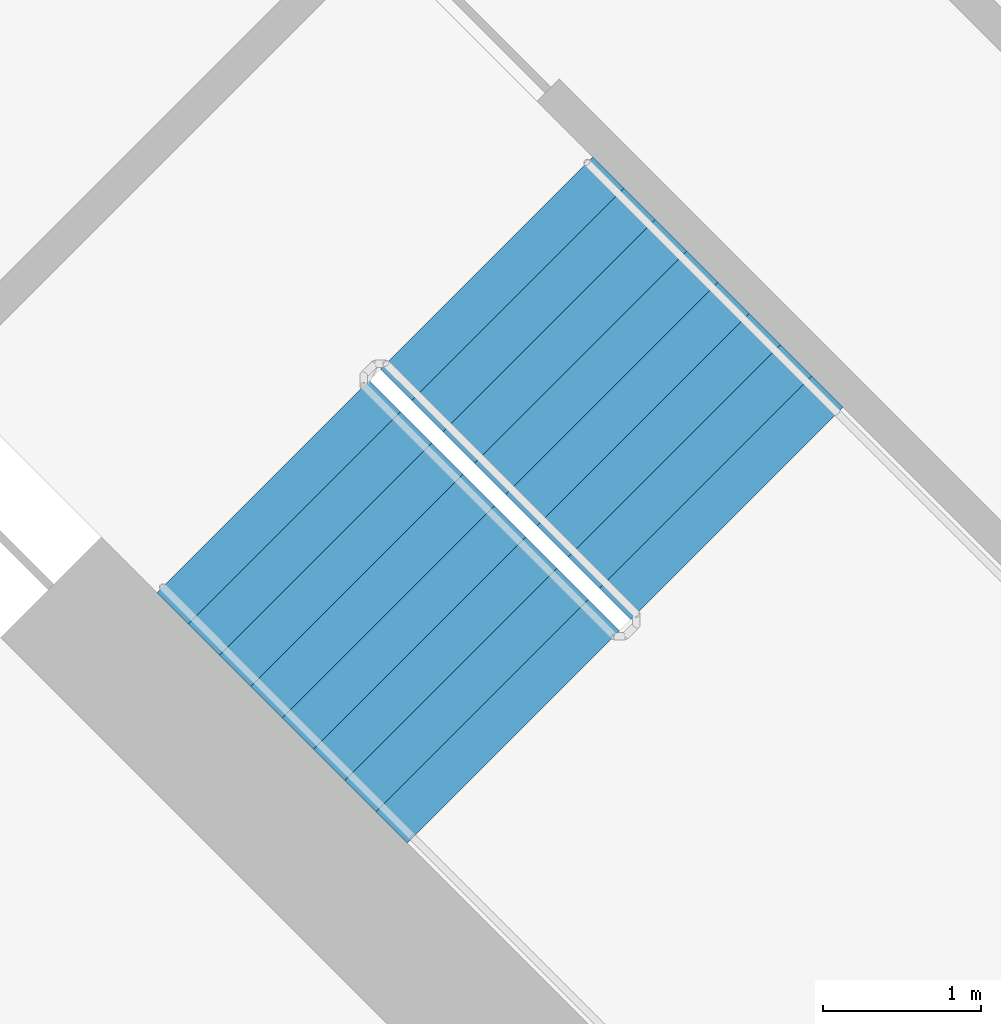
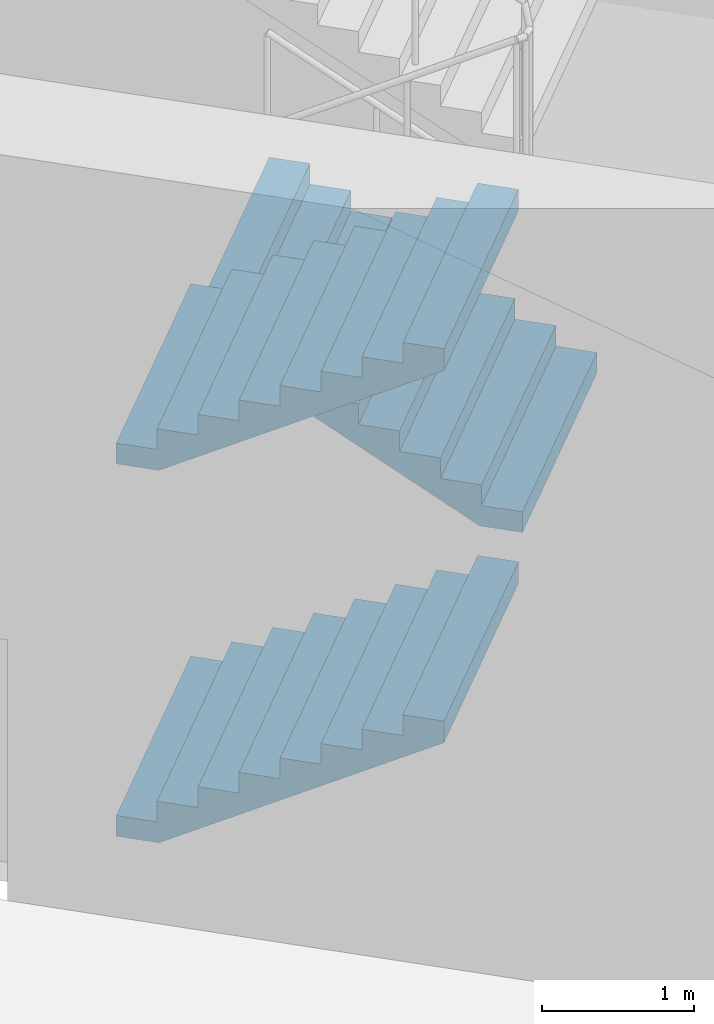
# One storey, part 14 of 20: 3 stair flights, 1 element without a shape of its own.
"""IFC4 building model written with IfcOpenShell, lengths in metres."""

from ifc_helpers import new_model, si_unit, direction, frame, origin, place, context, subcontext, project, spatial, triangles, material, type_object, element, aggregate, save


model = new_model("IFC4")

# Units and contexts
model_context = context("Model", 3, precision=1e-05, world=origin(), true_north=direction((0.0, 1.0)))
body_context = subcontext(model_context, "Body", "Model", "MODEL_VIEW")
ifc_project = project(units=[si_unit("LENGTHUNIT", "METRE"), si_unit("AREAUNIT", "SQUARE_METRE"), si_unit("VOLUMEUNIT", "CUBIC_METRE"), si_unit("PLANEANGLEUNIT", "RADIAN"), si_unit("MASSUNIT", "GRAM", prefix="KILO")], contexts=[model_context])

# Site, building, storey
site_placement = place(None, origin())
site = spatial("IfcSite", under=ifc_project, at=site_placement, CompositionType="ELEMENT")
building_placement = place(site_placement, origin())
building = spatial("IfcBuilding", under=site, at=building_placement, Name="Verdalira Terraces Hotel", CompositionType="ELEMENT")
storey_placement = place(building_placement, frame((0.0, 0.0, 75.0)))
storey = spatial("IfcBuildingStorey", under=building, at=storey_placement, Name="L17", CompositionType="ELEMENT", Elevation=75.0)

# Stair, stair flights
ifc_material_1 = material(Name="Concrete C40", Category="concrete")
stair_type = type_object("IfcStairType", Name="Core stair 36 risers 1900 mm wide", PredefinedType="HALF_TURN_STAIR", material=ifc_material_1)
stair_placement = place(storey_placement, origin())
stair = element("IfcStair", 1, at=stair_placement, inside=storey, type_object=stair_type, Name="L17 Exit stair ST2", PredefinedType="HALF_TURN_STAIR")
ifc_material_2 = material(Name="Concrete C40", Category="concrete")
stair_flight_type = type_object("IfcStairFlightType", Name="Core stair flight 36 risers 1900 mm wide", PredefinedType="STRAIGHT", material=ifc_material_2)
stair_flight_1_placement = place(storey_placement, frame((-10.005615, -7.177246, 0.0), z_axis=(0.0, 0.0, 1.0), x_axis=(0.707106781, -0.707106781, 0.0)))
stair_flight_1 = element("IfcStairFlight", 2, at=stair_flight_1_placement, type_object=stair_flight_type, Name="ST2 flight 1", NumberOfRisers=9, NumberOfTreads=8, PredefinedType="STRAIGHT", RiserHeight=0.166666667, TreadLength=0.28, context=body_context, shape_type="Tessellation", body=[
    triangles([(0.0, 0.949951, 0.0), (0.292969, 0.949951, 0.0), (2.23999, 0.949951, 1.158936), (0.0, -0.949951, 0.0), (0.292969, -0.949951, 0.0), (2.23999, -0.949951, 1.158936), (2.23999, 0.949951, 1.333252), (1.959961, 0.949951, 1.333252), (2.23999, -0.949951, 1.333252), (1.959961, -0.949951, 1.333252), (1.959961, 0.949951, 1.166748), (1.959961, -0.949951, 1.166748), (1.679932, 0.949951, 1.166748), (1.679932, -0.949951, 1.166748), (1.679932, 0.949951, 1.0), (1.679932, -0.949951, 1.0), (1.399902, 0.949951, 1.0), (1.399902, 0.949951, 0.833252), (1.399902, -0.949951, 1.0), (1.399902, -0.949951, 0.833252), (1.120117, 0.949951, 0.833252), (1.120117, 0.949951, 0.666748), (1.120117, -0.949951, 0.833252), (1.120117, -0.949951, 0.666748), (0.840088, 0.949951, 0.666748), (0.840088, 0.949951, 0.5), (0.840088, -0.949951, 0.666748), (0.840088, -0.949951, 0.5), (0.560059, 0.949951, 0.5), (0.560059, 0.949951, 0.333252), (0.560059, -0.949951, 0.5), (0.560059, -0.949951, 0.333252), (0.280029, 0.949951, 0.333252), (0.280029, 0.949951, 0.166748), (0.280029, -0.949951, 0.333252), (0.280029, -0.949951, 0.166748), (0.0, 0.949951, 0.166748), (0.0, -0.949951, 0.166748), (0.0, -0.890579, 0.0), (0.0, -0.890579, 0.166748), (0.0, -0.831207, 0.0), (0.0, -0.831207, 0.166748), (0.0, -0.771835, 0.0), (0.0, -0.771835, 0.166748), (0.0, -0.712463, 0.0), (0.0, -0.712463, 0.166748), (0.0, -0.653091, 0.0), (0.0, -0.653091, 0.166748), (0.0, -0.593719, 0.0), (0.0, -0.593719, 0.166748), (0.0, -0.534348, 0.0), (0.0, -0.534348, 0.166748), (0.0, -0.474976, 0.0), (0.0, -0.474976, 0.166748), (0.0, -0.415604, 0.0), (0.0, -0.415604, 0.166748), (0.0, -0.356232, 0.0), (0.0, -0.356232, 0.166748), (0.0, -0.29686, 0.0), (0.0, -0.29686, 0.166748), (0.0, -0.237488, 0.0), (0.0, -0.237488, 0.166748), (0.0, -0.178116, 0.0), (0.0, -0.178116, 0.166748), (0.0, -0.118744, 0.0), (0.0, -0.118744, 0.166748), (0.0, -0.059372, 0.0), (0.0, -0.059372, 0.166748), (0.0, 0.0, 0.0), (0.0, 0.0, 0.166748), (0.0, 0.059372, 0.0), (0.0, 0.059372, 0.166748), (0.0, 0.118744, 0.0), (0.0, 0.118744, 0.166748), (0.0, 0.178116, 0.0), (0.0, 0.178116, 0.166748), (0.0, 0.237488, 0.0), (0.0, 0.237488, 0.166748), (0.0, 0.29686, 0.0), (0.0, 0.29686, 0.166748), (0.0, 0.356232, 0.0), (0.0, 0.356232, 0.166748), (0.0, 0.415604, 0.0), (0.0, 0.415604, 0.166748), (0.0, 0.474976, 0.0), (0.0, 0.474976, 0.166748), (0.0, 0.534348, 0.0), (0.0, 0.534348, 0.166748), (0.0, 0.593719, 0.0), (0.0, 0.593719, 0.166748), (0.0, 0.653091, 0.0), (0.0, 0.653091, 0.166748), (0.0, 0.712463, 0.0), (0.0, 0.712463, 0.166748), (0.0, 0.771835, 0.0), (0.0, 0.771835, 0.166748), (0.0, 0.831207, 0.0), (0.0, 0.831207, 0.166748), (0.0, 0.890579, 0.0), (0.0, 0.890579, 0.166748), (2.23999, -0.890579, 1.333252), (2.23999, -0.831207, 1.333252), (2.23999, -0.771835, 1.333252), (2.23999, -0.712463, 1.333252), (2.23999, -0.653091, 1.333252), (2.23999, -0.593719, 1.333252), (2.23999, -0.534348, 1.333252), (2.23999, -0.474976, 1.333252), (2.23999, -0.415604, 1.333252), (2.23999, -0.356232, 1.333252), (2.23999, -0.29686, 1.333252), (2.23999, -0.237488, 1.333252), (2.23999, -0.178116, 1.333252), (2.23999, -0.118744, 1.333252), (2.23999, -0.059372, 1.333252), (2.23999, 0.0, 1.333252), (2.23999, 0.059372, 1.333252), (2.23999, 0.118744, 1.333252), (2.23999, 0.178116, 1.333252), (2.23999, 0.237488, 1.333252), (2.23999, 0.29686, 1.333252), (2.23999, 0.356232, 1.333252), (2.23999, 0.415604, 1.333252), (2.23999, 0.474976, 1.333252), (2.23999, 0.534348, 1.333252), (2.23999, 0.593719, 1.333252), (2.23999, 0.653091, 1.333252), (2.23999, 0.712463, 1.333252), (2.23999, 0.771835, 1.333252), (2.23999, 0.831207, 1.333252), (2.23999, 0.890579, 1.333252), (2.23999, -0.890579, 1.158936), (2.23999, -0.831207, 1.158936), (2.23999, -0.771835, 1.158936), (2.23999, -0.712463, 1.158936), (2.23999, -0.653091, 1.158936), (2.23999, -0.593719, 1.158936), (2.23999, -0.534348, 1.158936), (2.23999, -0.474976, 1.158936), (2.23999, -0.415604, 1.158936), (2.23999, -0.356232, 1.158936), (2.23999, -0.29686, 1.158936), (2.23999, -0.237488, 1.158936), (2.23999, -0.178116, 1.158936), (2.23999, -0.118744, 1.158936), (2.23999, -0.059372, 1.158936), (2.23999, 0.0, 1.158936), (2.23999, 0.059372, 1.158936), (2.23999, 0.118744, 1.158936), (2.23999, 0.178116, 1.158936), (2.23999, 0.237488, 1.158936), (2.23999, 0.29686, 1.158936), (2.23999, 0.356232, 1.158936), (2.23999, 0.415604, 1.158936), (2.23999, 0.474976, 1.158936), (2.23999, 0.534348, 1.158936), (2.23999, 0.593719, 1.158936), (2.23999, 0.653091, 1.158936), (2.23999, 0.712463, 1.158936), (2.23999, 0.771835, 1.158936), (2.23999, 0.831207, 1.158936), (2.23999, 0.890579, 1.158936)], [[1, 3, 2], [4, 5, 6], [3, 8, 7], [6, 9, 10], [3, 11, 8], [6, 10, 12], [3, 13, 11], [6, 12, 14], [3, 15, 13], [6, 14, 16], [15, 18, 17], [16, 19, 20], [3, 18, 15], [6, 16, 20], [18, 22, 21], [20, 23, 24], [3, 22, 18], [6, 20, 24], [22, 26, 25], [24, 27, 28], [3, 26, 22], [6, 24, 28], [26, 30, 29], [28, 31, 32], [3, 30, 26], [6, 28, 32], [1, 30, 3], [4, 6, 32], [30, 34, 33], [32, 35, 36], [1, 34, 30], [4, 32, 36], [34, 1, 37], [36, 38, 4], [4, 40, 39], [4, 38, 40], [39, 42, 41], [39, 40, 42], [41, 44, 43], [41, 42, 44], [43, 46, 45], [43, 44, 46], [45, 48, 47], [45, 46, 48], [47, 50, 49], [47, 48, 50], [49, 52, 51], [49, 50, 52], [51, 54, 53], [51, 52, 54], [53, 56, 55], [53, 54, 56], [55, 58, 57], [55, 56, 58], [57, 60, 59], [57, 58, 60], [59, 62, 61], [59, 60, 62], [61, 64, 63], [61, 62, 64], [63, 66, 65], [63, 64, 66], [65, 68, 67], [65, 66, 68], [67, 70, 69], [67, 68, 70], [69, 72, 71], [69, 70, 72], [71, 74, 73], [71, 72, 74], [73, 76, 75], [73, 74, 76], [75, 78, 77], [75, 76, 78], [77, 80, 79], [77, 78, 80], [79, 82, 81], [79, 80, 82], [81, 84, 83], [81, 82, 84], [83, 86, 85], [83, 84, 86], [85, 88, 87], [85, 86, 88], [87, 90, 89], [87, 88, 90], [89, 92, 91], [89, 90, 92], [91, 94, 93], [91, 92, 94], [93, 96, 95], [93, 94, 96], [95, 98, 97], [95, 96, 98], [97, 100, 99], [97, 98, 100], [99, 37, 1], [99, 100, 37], [38, 36, 40], [40, 36, 42], [42, 36, 44], [44, 36, 46], [46, 36, 48], [48, 36, 50], [50, 36, 52], [52, 36, 54], [54, 36, 56], [56, 36, 58], [58, 36, 60], [60, 36, 62], [62, 36, 64], [64, 36, 66], [66, 36, 68], [68, 36, 70], [70, 36, 72], [72, 36, 74], [74, 36, 76], [76, 36, 78], [78, 36, 80], [80, 36, 82], [82, 36, 84], [84, 36, 86], [86, 36, 88], [88, 36, 90], [90, 36, 92], [92, 36, 94], [94, 36, 96], [96, 36, 98], [98, 36, 100], [100, 36, 37], [37, 36, 34], [36, 33, 34], [36, 35, 33], [35, 30, 33], [35, 32, 30], [32, 29, 30], [32, 31, 29], [31, 26, 29], [31, 28, 26], [28, 25, 26], [28, 27, 25], [27, 22, 25], [27, 24, 22], [24, 21, 22], [24, 23, 21], [23, 18, 21], [23, 20, 18], [20, 17, 18], [20, 19, 17], [19, 15, 17], [19, 16, 15], [16, 13, 15], [16, 14, 13], [14, 11, 13], [14, 12, 11], [12, 8, 11], [12, 10, 8], [9, 101, 10], [101, 102, 10], [102, 103, 10], [103, 104, 10], [104, 105, 10], [105, 106, 10], [106, 107, 10], [107, 108, 10], [108, 109, 10], [109, 110, 10], [110, 111, 10], [111, 112, 10], [112, 113, 10], [113, 114, 10], [114, 115, 10], [115, 116, 10], [116, 117, 10], [117, 118, 10], [118, 119, 10], [119, 120, 10], [120, 121, 10], [121, 122, 10], [122, 123, 10], [123, 124, 10], [124, 125, 10], [125, 126, 10], [126, 127, 10], [127, 128, 10], [128, 129, 10], [129, 130, 10], [130, 131, 10], [131, 7, 10], [7, 8, 10], [9, 132, 101], [9, 6, 132], [101, 133, 102], [101, 132, 133], [102, 134, 103], [102, 133, 134], [103, 135, 104], [103, 134, 135], [104, 136, 105], [104, 135, 136], [105, 137, 106], [105, 136, 137], [106, 138, 107], [106, 137, 138], [107, 139, 108], [107, 138, 139], [108, 140, 109], [108, 139, 140], [109, 141, 110], [109, 140, 141], [110, 142, 111], [110, 141, 142], [111, 143, 112], [111, 142, 143], [112, 144, 113], [112, 143, 144], [113, 145, 114], [113, 144, 145], [114, 146, 115], [114, 145, 146], [115, 147, 116], [115, 146, 147], [116, 148, 117], [116, 147, 148], [117, 149, 118], [117, 148, 149], [118, 150, 119], [118, 149, 150], [119, 151, 120], [119, 150, 151], [120, 152, 121], [120, 151, 152], [121, 153, 122], [121, 152, 153], [122, 154, 123], [122, 153, 154], [123, 155, 124], [123, 154, 155], [124, 156, 125], [124, 155, 156], [125, 157, 126], [125, 156, 157], [126, 158, 127], [126, 157, 158], [127, 159, 128], [127, 158, 159], [128, 160, 129], [128, 159, 160], [129, 161, 130], [129, 160, 161], [130, 162, 131], [130, 161, 162], [131, 3, 7], [131, 162, 3], [6, 5, 132], [132, 5, 133], [133, 5, 134], [134, 5, 135], [135, 5, 136], [136, 5, 137], [137, 5, 138], [138, 5, 139], [139, 5, 140], [140, 5, 141], [141, 5, 142], [142, 5, 143], [143, 5, 144], [144, 5, 145], [145, 5, 146], [146, 5, 147], [147, 5, 148], [148, 5, 149], [149, 5, 150], [150, 5, 151], [151, 5, 152], [152, 5, 153], [153, 5, 154], [154, 5, 155], [155, 5, 156], [156, 5, 157], [157, 5, 158], [158, 5, 159], [159, 5, 160], [160, 5, 161], [161, 5, 162], [162, 5, 3], [3, 5, 2], [4, 39, 5], [39, 41, 5], [41, 43, 5], [43, 45, 5], [45, 47, 5], [47, 49, 5], [49, 51, 5], [51, 53, 5], [53, 55, 5], [55, 57, 5], [57, 59, 5], [59, 61, 5], [61, 63, 5], [63, 65, 5], [65, 67, 5], [67, 69, 5], [69, 71, 5], [71, 73, 5], [73, 75, 5], [75, 77, 5], [77, 79, 5], [79, 81, 5], [81, 83, 5], [83, 85, 5], [85, 87, 5], [87, 89, 5], [89, 91, 5], [91, 93, 5], [93, 95, 5], [95, 97, 5], [97, 99, 5], [99, 1, 5], [1, 2, 5]], closed=True),
])
stair_flight_2_placement = place(storey_placement, frame((-7.007324, -7.346924, 1.5), z_axis=(0.0, 0.0, 1.0), x_axis=(-0.707106781, 0.707106781, 0.0)))
stair_flight_2 = element("IfcStairFlight", 3, at=stair_flight_2_placement, type_object=stair_flight_type, Name="ST2 flight 2", NumberOfRisers=9, NumberOfTreads=8, PredefinedType="STRAIGHT", RiserHeight=0.166666667, TreadLength=0.28, context=body_context, shape_type="Tessellation", body=[
    triangles([(0.0, 0.949951, 0.0), (0.292969, 0.949951, 0.0), (2.23999, 0.949951, 1.158936), (0.0, -0.949951, 0.0), (0.292969, -0.949951, 0.0), (2.23999, -0.949951, 1.158936), (2.23999, 0.949951, 1.333252), (1.959961, 0.949951, 1.333252), (2.23999, -0.949951, 1.333252), (1.959961, -0.949951, 1.333252), (1.959961, 0.949951, 1.166748), (1.959961, -0.949951, 1.166748), (1.679932, 0.949951, 1.166748), (1.679932, -0.949951, 1.166748), (1.679932, 0.949951, 1.0), (1.679932, -0.949951, 1.0), (1.399902, 0.949951, 1.0), (1.399902, 0.949951, 0.833252), (1.399902, -0.949951, 1.0), (1.399902, -0.949951, 0.833252), (1.120117, 0.949951, 0.833252), (1.120117, 0.949951, 0.666748), (1.120117, -0.949951, 0.833252), (1.120117, -0.949951, 0.666748), (0.840088, 0.949951, 0.666748), (0.840088, 0.949951, 0.5), (0.840088, -0.949951, 0.666748), (0.840088, -0.949951, 0.5), (0.560059, 0.949951, 0.5), (0.560059, 0.949951, 0.333252), (0.560059, -0.949951, 0.5), (0.560059, -0.949951, 0.333252), (0.280029, 0.949951, 0.333252), (0.280029, 0.949951, 0.166748), (0.280029, -0.949951, 0.333252), (0.280029, -0.949951, 0.166748), (0.0, 0.949951, 0.166748), (0.0, -0.949951, 0.166748), (0.0, -0.890579, 0.0), (0.0, -0.890579, 0.166748), (0.0, -0.831207, 0.0), (0.0, -0.831207, 0.166748), (0.0, -0.771835, 0.0), (0.0, -0.771835, 0.166748), (0.0, -0.712463, 0.0), (0.0, -0.712463, 0.166748), (0.0, -0.653091, 0.0), (0.0, -0.653091, 0.166748), (0.0, -0.593719, 0.0), (0.0, -0.593719, 0.166748), (0.0, -0.534348, 0.0), (0.0, -0.534348, 0.166748), (0.0, -0.474976, 0.0), (0.0, -0.474976, 0.166748), (0.0, -0.415604, 0.0), (0.0, -0.415604, 0.166748), (0.0, -0.356232, 0.0), (0.0, -0.356232, 0.166748), (0.0, -0.29686, 0.0), (0.0, -0.29686, 0.166748), (0.0, -0.237488, 0.0), (0.0, -0.237488, 0.166748), (0.0, -0.178116, 0.0), (0.0, -0.178116, 0.166748), (0.0, -0.118744, 0.0), (0.0, -0.118744, 0.166748), (0.0, -0.059372, 0.0), (0.0, -0.059372, 0.166748), (0.0, 0.0, 0.0), (0.0, 0.0, 0.166748), (0.0, 0.059372, 0.0), (0.0, 0.059372, 0.166748), (0.0, 0.118744, 0.0), (0.0, 0.118744, 0.166748), (0.0, 0.178116, 0.0), (0.0, 0.178116, 0.166748), (0.0, 0.237488, 0.0), (0.0, 0.237488, 0.166748), (0.0, 0.29686, 0.0), (0.0, 0.29686, 0.166748), (0.0, 0.356232, 0.0), (0.0, 0.356232, 0.166748), (0.0, 0.415604, 0.0), (0.0, 0.415604, 0.166748), (0.0, 0.474976, 0.0), (0.0, 0.474976, 0.166748), (0.0, 0.534348, 0.0), (0.0, 0.534348, 0.166748), (0.0, 0.593719, 0.0), (0.0, 0.593719, 0.166748), (0.0, 0.653091, 0.0), (0.0, 0.653091, 0.166748), (0.0, 0.712463, 0.0), (0.0, 0.712463, 0.166748), (0.0, 0.771835, 0.0), (0.0, 0.771835, 0.166748), (0.0, 0.831207, 0.0), (0.0, 0.831207, 0.166748), (0.0, 0.890579, 0.0), (0.0, 0.890579, 0.166748), (2.23999, -0.890579, 1.333252), (2.23999, -0.831207, 1.333252), (2.23999, -0.771835, 1.333252), (2.23999, -0.712463, 1.333252), (2.23999, -0.653091, 1.333252), (2.23999, -0.593719, 1.333252), (2.23999, -0.534348, 1.333252), (2.23999, -0.474976, 1.333252), (2.23999, -0.415604, 1.333252), (2.23999, -0.356232, 1.333252), (2.23999, -0.29686, 1.333252), (2.23999, -0.237488, 1.333252), (2.23999, -0.178116, 1.333252), (2.23999, -0.118744, 1.333252), (2.23999, -0.059372, 1.333252), (2.23999, 0.0, 1.333252), (2.23999, 0.059372, 1.333252), (2.23999, 0.118744, 1.333252), (2.23999, 0.178116, 1.333252), (2.23999, 0.237488, 1.333252), (2.23999, 0.29686, 1.333252), (2.23999, 0.356232, 1.333252), (2.23999, 0.415604, 1.333252), (2.23999, 0.474976, 1.333252), (2.23999, 0.534348, 1.333252), (2.23999, 0.593719, 1.333252), (2.23999, 0.653091, 1.333252), (2.23999, 0.712463, 1.333252), (2.23999, 0.771835, 1.333252), (2.23999, 0.831207, 1.333252), (2.23999, 0.890579, 1.333252), (2.23999, -0.890579, 1.158936), (2.23999, -0.831207, 1.158936), (2.23999, -0.771835, 1.158936), (2.23999, -0.712463, 1.158936), (2.23999, -0.653091, 1.158936), (2.23999, -0.593719, 1.158936), (2.23999, -0.534348, 1.158936), (2.23999, -0.474976, 1.158936), (2.23999, -0.415604, 1.158936), (2.23999, -0.356232, 1.158936), (2.23999, -0.29686, 1.158936), (2.23999, -0.237488, 1.158936), (2.23999, -0.178116, 1.158936), (2.23999, -0.118744, 1.158936), (2.23999, -0.059372, 1.158936), (2.23999, 0.0, 1.158936), (2.23999, 0.059372, 1.158936), (2.23999, 0.118744, 1.158936), (2.23999, 0.178116, 1.158936), (2.23999, 0.237488, 1.158936), (2.23999, 0.29686, 1.158936), (2.23999, 0.356232, 1.158936), (2.23999, 0.415604, 1.158936), (2.23999, 0.474976, 1.158936), (2.23999, 0.534348, 1.158936), (2.23999, 0.593719, 1.158936), (2.23999, 0.653091, 1.158936), (2.23999, 0.712463, 1.158936), (2.23999, 0.771835, 1.158936), (2.23999, 0.831207, 1.158936), (2.23999, 0.890579, 1.158936)], [[1, 3, 2], [4, 5, 6], [3, 8, 7], [6, 9, 10], [3, 11, 8], [6, 10, 12], [3, 13, 11], [6, 12, 14], [3, 15, 13], [6, 14, 16], [15, 18, 17], [16, 19, 20], [3, 18, 15], [6, 16, 20], [18, 22, 21], [20, 23, 24], [3, 22, 18], [6, 20, 24], [22, 26, 25], [24, 27, 28], [3, 26, 22], [6, 24, 28], [26, 30, 29], [28, 31, 32], [3, 30, 26], [6, 28, 32], [1, 30, 3], [4, 6, 32], [30, 34, 33], [32, 35, 36], [1, 34, 30], [4, 32, 36], [34, 1, 37], [36, 38, 4], [4, 40, 39], [4, 38, 40], [39, 42, 41], [39, 40, 42], [41, 44, 43], [41, 42, 44], [43, 46, 45], [43, 44, 46], [45, 48, 47], [45, 46, 48], [47, 50, 49], [47, 48, 50], [49, 52, 51], [49, 50, 52], [51, 54, 53], [51, 52, 54], [53, 56, 55], [53, 54, 56], [55, 58, 57], [55, 56, 58], [57, 60, 59], [57, 58, 60], [59, 62, 61], [59, 60, 62], [61, 64, 63], [61, 62, 64], [63, 66, 65], [63, 64, 66], [65, 68, 67], [65, 66, 68], [67, 70, 69], [67, 68, 70], [69, 72, 71], [69, 70, 72], [71, 74, 73], [71, 72, 74], [73, 76, 75], [73, 74, 76], [75, 78, 77], [75, 76, 78], [77, 80, 79], [77, 78, 80], [79, 82, 81], [79, 80, 82], [81, 84, 83], [81, 82, 84], [83, 86, 85], [83, 84, 86], [85, 88, 87], [85, 86, 88], [87, 90, 89], [87, 88, 90], [89, 92, 91], [89, 90, 92], [91, 94, 93], [91, 92, 94], [93, 96, 95], [93, 94, 96], [95, 98, 97], [95, 96, 98], [97, 100, 99], [97, 98, 100], [99, 37, 1], [99, 100, 37], [38, 36, 40], [40, 36, 42], [42, 36, 44], [44, 36, 46], [46, 36, 48], [48, 36, 50], [50, 36, 52], [52, 36, 54], [54, 36, 56], [56, 36, 58], [58, 36, 60], [60, 36, 62], [62, 36, 64], [64, 36, 66], [66, 36, 68], [68, 36, 70], [70, 36, 72], [72, 36, 74], [74, 36, 76], [76, 36, 78], [78, 36, 80], [80, 36, 82], [82, 36, 84], [84, 36, 86], [86, 36, 88], [88, 36, 90], [90, 36, 92], [92, 36, 94], [94, 36, 96], [96, 36, 98], [98, 36, 100], [100, 36, 37], [37, 36, 34], [36, 33, 34], [36, 35, 33], [35, 30, 33], [35, 32, 30], [32, 29, 30], [32, 31, 29], [31, 26, 29], [31, 28, 26], [28, 25, 26], [28, 27, 25], [27, 22, 25], [27, 24, 22], [24, 21, 22], [24, 23, 21], [23, 18, 21], [23, 20, 18], [20, 17, 18], [20, 19, 17], [19, 15, 17], [19, 16, 15], [16, 13, 15], [16, 14, 13], [14, 11, 13], [14, 12, 11], [12, 8, 11], [12, 10, 8], [9, 101, 10], [101, 102, 10], [102, 103, 10], [103, 104, 10], [104, 105, 10], [105, 106, 10], [106, 107, 10], [107, 108, 10], [108, 109, 10], [109, 110, 10], [110, 111, 10], [111, 112, 10], [112, 113, 10], [113, 114, 10], [114, 115, 10], [115, 116, 10], [116, 117, 10], [117, 118, 10], [118, 119, 10], [119, 120, 10], [120, 121, 10], [121, 122, 10], [122, 123, 10], [123, 124, 10], [124, 125, 10], [125, 126, 10], [126, 127, 10], [127, 128, 10], [128, 129, 10], [129, 130, 10], [130, 131, 10], [131, 7, 10], [7, 8, 10], [9, 132, 101], [9, 6, 132], [101, 133, 102], [101, 132, 133], [102, 134, 103], [102, 133, 134], [103, 135, 104], [103, 134, 135], [104, 136, 105], [104, 135, 136], [105, 137, 106], [105, 136, 137], [106, 138, 107], [106, 137, 138], [107, 139, 108], [107, 138, 139], [108, 140, 109], [108, 139, 140], [109, 141, 110], [109, 140, 141], [110, 142, 111], [110, 141, 142], [111, 143, 112], [111, 142, 143], [112, 144, 113], [112, 143, 144], [113, 145, 114], [113, 144, 145], [114, 146, 115], [114, 145, 146], [115, 147, 116], [115, 146, 147], [116, 148, 117], [116, 147, 148], [117, 149, 118], [117, 148, 149], [118, 150, 119], [118, 149, 150], [119, 151, 120], [119, 150, 151], [120, 152, 121], [120, 151, 152], [121, 153, 122], [121, 152, 153], [122, 154, 123], [122, 153, 154], [123, 155, 124], [123, 154, 155], [124, 156, 125], [124, 155, 156], [125, 157, 126], [125, 156, 157], [126, 158, 127], [126, 157, 158], [127, 159, 128], [127, 158, 159], [128, 160, 129], [128, 159, 160], [129, 161, 130], [129, 160, 161], [130, 162, 131], [130, 161, 162], [131, 3, 7], [131, 162, 3], [6, 5, 132], [132, 5, 133], [133, 5, 134], [134, 5, 135], [135, 5, 136], [136, 5, 137], [137, 5, 138], [138, 5, 139], [139, 5, 140], [140, 5, 141], [141, 5, 142], [142, 5, 143], [143, 5, 144], [144, 5, 145], [145, 5, 146], [146, 5, 147], [147, 5, 148], [148, 5, 149], [149, 5, 150], [150, 5, 151], [151, 5, 152], [152, 5, 153], [153, 5, 154], [154, 5, 155], [155, 5, 156], [156, 5, 157], [157, 5, 158], [158, 5, 159], [159, 5, 160], [160, 5, 161], [161, 5, 162], [162, 5, 3], [3, 5, 2], [4, 39, 5], [39, 41, 5], [41, 43, 5], [43, 45, 5], [45, 47, 5], [47, 49, 5], [49, 51, 5], [51, 53, 5], [53, 55, 5], [55, 57, 5], [57, 59, 5], [59, 61, 5], [61, 63, 5], [63, 65, 5], [65, 67, 5], [67, 69, 5], [69, 71, 5], [71, 73, 5], [73, 75, 5], [75, 77, 5], [77, 79, 5], [79, 81, 5], [81, 83, 5], [83, 85, 5], [85, 87, 5], [87, 89, 5], [89, 91, 5], [91, 93, 5], [93, 95, 5], [95, 97, 5], [97, 99, 5], [99, 1, 5], [1, 2, 5]], closed=True),
])
stair_flight_3_placement = place(storey_placement, frame((-10.005615, -7.177246, 3.0), z_axis=(0.0, 0.0, 1.0), x_axis=(0.707106781, -0.707106781, 0.0)))
stair_flight_3 = element("IfcStairFlight", 4, at=stair_flight_3_placement, type_object=stair_flight_type, Name="ST2 flight 3", NumberOfRisers=9, NumberOfTreads=8, PredefinedType="STRAIGHT", RiserHeight=0.166666667, TreadLength=0.28, context=body_context, shape_type="Tessellation", body=[
    triangles([(0.0, 0.949951, 0.0), (0.292969, 0.949951, 0.0), (2.23999, 0.949951, 1.158936), (0.0, -0.949951, 0.0), (0.292969, -0.949951, 0.0), (2.23999, -0.949951, 1.158936), (2.23999, 0.949951, 1.333252), (1.959961, 0.949951, 1.333252), (2.23999, -0.949951, 1.333252), (1.959961, -0.949951, 1.333252), (1.959961, 0.949951, 1.166748), (1.959961, -0.949951, 1.166748), (1.679932, 0.949951, 1.166748), (1.679932, -0.949951, 1.166748), (1.679932, 0.949951, 1.0), (1.679932, -0.949951, 1.0), (1.399902, 0.949951, 1.0), (1.399902, 0.949951, 0.833252), (1.399902, -0.949951, 1.0), (1.399902, -0.949951, 0.833252), (1.120117, 0.949951, 0.833252), (1.120117, 0.949951, 0.666748), (1.120117, -0.949951, 0.833252), (1.120117, -0.949951, 0.666748), (0.840088, 0.949951, 0.666748), (0.840088, 0.949951, 0.5), (0.840088, -0.949951, 0.666748), (0.840088, -0.949951, 0.5), (0.560059, 0.949951, 0.5), (0.560059, 0.949951, 0.333252), (0.560059, -0.949951, 0.5), (0.560059, -0.949951, 0.333252), (0.280029, 0.949951, 0.333252), (0.280029, 0.949951, 0.166748), (0.280029, -0.949951, 0.333252), (0.280029, -0.949951, 0.166748), (0.0, 0.949951, 0.166748), (0.0, -0.949951, 0.166748), (0.0, -0.890579, 0.0), (0.0, -0.890579, 0.166748), (0.0, -0.831207, 0.0), (0.0, -0.831207, 0.166748), (0.0, -0.771835, 0.0), (0.0, -0.771835, 0.166748), (0.0, -0.712463, 0.0), (0.0, -0.712463, 0.166748), (0.0, -0.653091, 0.0), (0.0, -0.653091, 0.166748), (0.0, -0.593719, 0.0), (0.0, -0.593719, 0.166748), (0.0, -0.534348, 0.0), (0.0, -0.534348, 0.166748), (0.0, -0.474976, 0.0), (0.0, -0.474976, 0.166748), (0.0, -0.415604, 0.0), (0.0, -0.415604, 0.166748), (0.0, -0.356232, 0.0), (0.0, -0.356232, 0.166748), (0.0, -0.29686, 0.0), (0.0, -0.29686, 0.166748), (0.0, -0.237488, 0.0), (0.0, -0.237488, 0.166748), (0.0, -0.178116, 0.0), (0.0, -0.178116, 0.166748), (0.0, -0.118744, 0.0), (0.0, -0.118744, 0.166748), (0.0, -0.059372, 0.0), (0.0, -0.059372, 0.166748), (0.0, 0.0, 0.0), (0.0, 0.0, 0.166748), (0.0, 0.059372, 0.0), (0.0, 0.059372, 0.166748), (0.0, 0.118744, 0.0), (0.0, 0.118744, 0.166748), (0.0, 0.178116, 0.0), (0.0, 0.178116, 0.166748), (0.0, 0.237488, 0.0), (0.0, 0.237488, 0.166748), (0.0, 0.29686, 0.0), (0.0, 0.29686, 0.166748), (0.0, 0.356232, 0.0), (0.0, 0.356232, 0.166748), (0.0, 0.415604, 0.0), (0.0, 0.415604, 0.166748), (0.0, 0.474976, 0.0), (0.0, 0.474976, 0.166748), (0.0, 0.534348, 0.0), (0.0, 0.534348, 0.166748), (0.0, 0.593719, 0.0), (0.0, 0.593719, 0.166748), (0.0, 0.653091, 0.0), (0.0, 0.653091, 0.166748), (0.0, 0.712463, 0.0), (0.0, 0.712463, 0.166748), (0.0, 0.771835, 0.0), (0.0, 0.771835, 0.166748), (0.0, 0.831207, 0.0), (0.0, 0.831207, 0.166748), (0.0, 0.890579, 0.0), (0.0, 0.890579, 0.166748), (2.23999, -0.890579, 1.333252), (2.23999, -0.831207, 1.333252), (2.23999, -0.771835, 1.333252), (2.23999, -0.712463, 1.333252), (2.23999, -0.653091, 1.333252), (2.23999, -0.593719, 1.333252), (2.23999, -0.534348, 1.333252), (2.23999, -0.474976, 1.333252), (2.23999, -0.415604, 1.333252), (2.23999, -0.356232, 1.333252), (2.23999, -0.29686, 1.333252), (2.23999, -0.237488, 1.333252), (2.23999, -0.178116, 1.333252), (2.23999, -0.118744, 1.333252), (2.23999, -0.059372, 1.333252), (2.23999, 0.0, 1.333252), (2.23999, 0.059372, 1.333252), (2.23999, 0.118744, 1.333252), (2.23999, 0.178116, 1.333252), (2.23999, 0.237488, 1.333252), (2.23999, 0.29686, 1.333252), (2.23999, 0.356232, 1.333252), (2.23999, 0.415604, 1.333252), (2.23999, 0.474976, 1.333252), (2.23999, 0.534348, 1.333252), (2.23999, 0.593719, 1.333252), (2.23999, 0.653091, 1.333252), (2.23999, 0.712463, 1.333252), (2.23999, 0.771835, 1.333252), (2.23999, 0.831207, 1.333252), (2.23999, 0.890579, 1.333252), (2.23999, -0.890579, 1.158936), (2.23999, -0.831207, 1.158936), (2.23999, -0.771835, 1.158936), (2.23999, -0.712463, 1.158936), (2.23999, -0.653091, 1.158936), (2.23999, -0.593719, 1.158936), (2.23999, -0.534348, 1.158936), (2.23999, -0.474976, 1.158936), (2.23999, -0.415604, 1.158936), (2.23999, -0.356232, 1.158936), (2.23999, -0.29686, 1.158936), (2.23999, -0.237488, 1.158936), (2.23999, -0.178116, 1.158936), (2.23999, -0.118744, 1.158936), (2.23999, -0.059372, 1.158936), (2.23999, 0.0, 1.158936), (2.23999, 0.059372, 1.158936), (2.23999, 0.118744, 1.158936), (2.23999, 0.178116, 1.158936), (2.23999, 0.237488, 1.158936), (2.23999, 0.29686, 1.158936), (2.23999, 0.356232, 1.158936), (2.23999, 0.415604, 1.158936), (2.23999, 0.474976, 1.158936), (2.23999, 0.534348, 1.158936), (2.23999, 0.593719, 1.158936), (2.23999, 0.653091, 1.158936), (2.23999, 0.712463, 1.158936), (2.23999, 0.771835, 1.158936), (2.23999, 0.831207, 1.158936), (2.23999, 0.890579, 1.158936)], [[1, 3, 2], [4, 5, 6], [3, 8, 7], [6, 9, 10], [3, 11, 8], [6, 10, 12], [3, 13, 11], [6, 12, 14], [3, 15, 13], [6, 14, 16], [15, 18, 17], [16, 19, 20], [3, 18, 15], [6, 16, 20], [18, 22, 21], [20, 23, 24], [3, 22, 18], [6, 20, 24], [22, 26, 25], [24, 27, 28], [3, 26, 22], [6, 24, 28], [26, 30, 29], [28, 31, 32], [3, 30, 26], [6, 28, 32], [1, 30, 3], [4, 6, 32], [30, 34, 33], [32, 35, 36], [1, 34, 30], [4, 32, 36], [34, 1, 37], [36, 38, 4], [4, 40, 39], [4, 38, 40], [39, 42, 41], [39, 40, 42], [41, 44, 43], [41, 42, 44], [43, 46, 45], [43, 44, 46], [45, 48, 47], [45, 46, 48], [47, 50, 49], [47, 48, 50], [49, 52, 51], [49, 50, 52], [51, 54, 53], [51, 52, 54], [53, 56, 55], [53, 54, 56], [55, 58, 57], [55, 56, 58], [57, 60, 59], [57, 58, 60], [59, 62, 61], [59, 60, 62], [61, 64, 63], [61, 62, 64], [63, 66, 65], [63, 64, 66], [65, 68, 67], [65, 66, 68], [67, 70, 69], [67, 68, 70], [69, 72, 71], [69, 70, 72], [71, 74, 73], [71, 72, 74], [73, 76, 75], [73, 74, 76], [75, 78, 77], [75, 76, 78], [77, 80, 79], [77, 78, 80], [79, 82, 81], [79, 80, 82], [81, 84, 83], [81, 82, 84], [83, 86, 85], [83, 84, 86], [85, 88, 87], [85, 86, 88], [87, 90, 89], [87, 88, 90], [89, 92, 91], [89, 90, 92], [91, 94, 93], [91, 92, 94], [93, 96, 95], [93, 94, 96], [95, 98, 97], [95, 96, 98], [97, 100, 99], [97, 98, 100], [99, 37, 1], [99, 100, 37], [38, 36, 40], [40, 36, 42], [42, 36, 44], [44, 36, 46], [46, 36, 48], [48, 36, 50], [50, 36, 52], [52, 36, 54], [54, 36, 56], [56, 36, 58], [58, 36, 60], [60, 36, 62], [62, 36, 64], [64, 36, 66], [66, 36, 68], [68, 36, 70], [70, 36, 72], [72, 36, 74], [74, 36, 76], [76, 36, 78], [78, 36, 80], [80, 36, 82], [82, 36, 84], [84, 36, 86], [86, 36, 88], [88, 36, 90], [90, 36, 92], [92, 36, 94], [94, 36, 96], [96, 36, 98], [98, 36, 100], [100, 36, 37], [37, 36, 34], [36, 33, 34], [36, 35, 33], [35, 30, 33], [35, 32, 30], [32, 29, 30], [32, 31, 29], [31, 26, 29], [31, 28, 26], [28, 25, 26], [28, 27, 25], [27, 22, 25], [27, 24, 22], [24, 21, 22], [24, 23, 21], [23, 18, 21], [23, 20, 18], [20, 17, 18], [20, 19, 17], [19, 15, 17], [19, 16, 15], [16, 13, 15], [16, 14, 13], [14, 11, 13], [14, 12, 11], [12, 8, 11], [12, 10, 8], [9, 101, 10], [101, 102, 10], [102, 103, 10], [103, 104, 10], [104, 105, 10], [105, 106, 10], [106, 107, 10], [107, 108, 10], [108, 109, 10], [109, 110, 10], [110, 111, 10], [111, 112, 10], [112, 113, 10], [113, 114, 10], [114, 115, 10], [115, 116, 10], [116, 117, 10], [117, 118, 10], [118, 119, 10], [119, 120, 10], [120, 121, 10], [121, 122, 10], [122, 123, 10], [123, 124, 10], [124, 125, 10], [125, 126, 10], [126, 127, 10], [127, 128, 10], [128, 129, 10], [129, 130, 10], [130, 131, 10], [131, 7, 10], [7, 8, 10], [9, 132, 101], [9, 6, 132], [101, 133, 102], [101, 132, 133], [102, 134, 103], [102, 133, 134], [103, 135, 104], [103, 134, 135], [104, 136, 105], [104, 135, 136], [105, 137, 106], [105, 136, 137], [106, 138, 107], [106, 137, 138], [107, 139, 108], [107, 138, 139], [108, 140, 109], [108, 139, 140], [109, 141, 110], [109, 140, 141], [110, 142, 111], [110, 141, 142], [111, 143, 112], [111, 142, 143], [112, 144, 113], [112, 143, 144], [113, 145, 114], [113, 144, 145], [114, 146, 115], [114, 145, 146], [115, 147, 116], [115, 146, 147], [116, 148, 117], [116, 147, 148], [117, 149, 118], [117, 148, 149], [118, 150, 119], [118, 149, 150], [119, 151, 120], [119, 150, 151], [120, 152, 121], [120, 151, 152], [121, 153, 122], [121, 152, 153], [122, 154, 123], [122, 153, 154], [123, 155, 124], [123, 154, 155], [124, 156, 125], [124, 155, 156], [125, 157, 126], [125, 156, 157], [126, 158, 127], [126, 157, 158], [127, 159, 128], [127, 158, 159], [128, 160, 129], [128, 159, 160], [129, 161, 130], [129, 160, 161], [130, 162, 131], [130, 161, 162], [131, 3, 7], [131, 162, 3], [6, 5, 132], [132, 5, 133], [133, 5, 134], [134, 5, 135], [135, 5, 136], [136, 5, 137], [137, 5, 138], [138, 5, 139], [139, 5, 140], [140, 5, 141], [141, 5, 142], [142, 5, 143], [143, 5, 144], [144, 5, 145], [145, 5, 146], [146, 5, 147], [147, 5, 148], [148, 5, 149], [149, 5, 150], [150, 5, 151], [151, 5, 152], [152, 5, 153], [153, 5, 154], [154, 5, 155], [155, 5, 156], [156, 5, 157], [157, 5, 158], [158, 5, 159], [159, 5, 160], [160, 5, 161], [161, 5, 162], [162, 5, 3], [3, 5, 2], [4, 39, 5], [39, 41, 5], [41, 43, 5], [43, 45, 5], [45, 47, 5], [47, 49, 5], [49, 51, 5], [51, 53, 5], [53, 55, 5], [55, 57, 5], [57, 59, 5], [59, 61, 5], [61, 63, 5], [63, 65, 5], [65, 67, 5], [67, 69, 5], [69, 71, 5], [71, 73, 5], [73, 75, 5], [75, 77, 5], [77, 79, 5], [79, 81, 5], [81, 83, 5], [83, 85, 5], [85, 87, 5], [87, 89, 5], [89, 91, 5], [91, 93, 5], [93, 95, 5], [95, 97, 5], [97, 99, 5], [99, 1, 5], [1, 2, 5]], closed=True),
])
aggregate(stair, [stair_flight_1, stair_flight_2, stair_flight_3])

save(model, "model.ifc")
